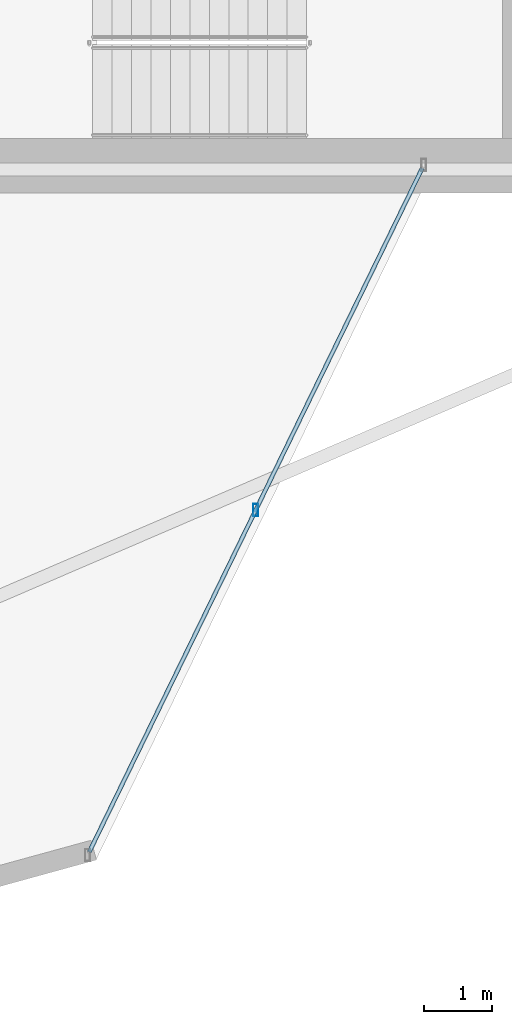
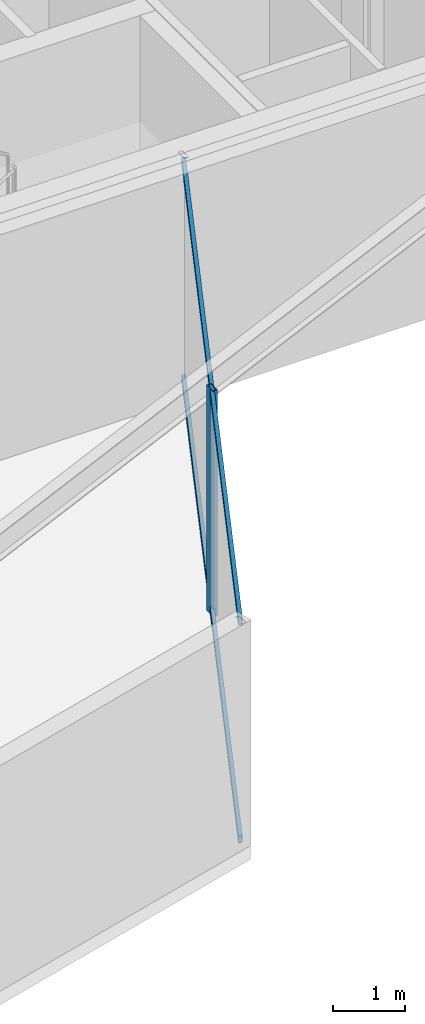
# One storey, part 11 of 25: 3 members, 1 element without a shape of its own.
"""IFC4 building model written with IfcOpenShell, lengths in metres."""

from ifc_helpers import new_model, si_unit, direction, frame, origin, origin_2d, place, context, subcontext, project, spatial, hollow_rectangle, extrude, material, layer, layer_set, material_profile, profile_set, type_object, element, aggregate, save


model = new_model("IFC4")

# Units and contexts
model_context = context("Model", 3, precision=1e-05, world=origin(), true_north=direction((0.0, 1.0)))
body_context = subcontext(model_context, "Body", "Model", "MODEL_VIEW")
ifc_project = project(units=[si_unit("LENGTHUNIT", "METRE"), si_unit("AREAUNIT", "SQUARE_METRE"), si_unit("VOLUMEUNIT", "CUBIC_METRE"), si_unit("PLANEANGLEUNIT", "RADIAN"), si_unit("MASSUNIT", "GRAM", prefix="KILO")], contexts=[model_context])

# Site, building, storey
site_placement = place(None, origin())
site = spatial("IfcSite", under=ifc_project, at=site_placement, CompositionType="ELEMENT")
building_placement = place(site_placement, origin())
building = spatial("IfcBuilding", under=site, at=building_placement, Name="Veymaron Broadcast Tower", CompositionType="ELEMENT")
storey_placement = place(building_placement, frame((0.0, 0.0, 120.89990234375)))
storey = spatial("IfcBuildingStorey", under=building, at=storey_placement, Name="L27", CompositionType="ELEMENT", Elevation=120.89990234375)

# Curtain wall, members
ifc_material_1 = material(Name="Anodised aluminium AA 6063-T6 and laminated low-E dark glass", Category="aluminium")
ifc_layer = layer(ifc_material_1, 0.179931640625)
ifc_layer_set = layer_set([ifc_layer], Name="Anodised aluminium AA 6063-T6 and laminated low-E dark glass")
curtain_wall_type = type_object("IfcCurtainWallType", Name="CW-SYS-03", PredefinedType="NOTDEFINED", material=ifc_layer_set)
curtain_wall_placement = place(storey_placement, origin())
curtain_wall = element("IfcCurtainWall", 1, at=curtain_wall_placement, inside=storey, type_object=curtain_wall_type, Name="L27 dark-glass curtain wall CW-L27-E20-1", PredefinedType="NOTDEFINED")
ifc_material_2 = material(Name="Anodised aluminium AA 6063-T6", Category="aluminium")
ifc_material_profile_1 = material_profile(ifc_material_2, hollow_rectangle(XDim=0.074951171875, YDim=0.179931640625, WallThickness=0.0048828125, at=origin_2d()), Name="AL180X75X5")
ifc_profile_set_1 = profile_set([ifc_material_profile_1], Name="Anodised aluminium AA 6063-T6")
member_type_1 = type_object("IfcMemberType", Name="CW-MUL-02", PredefinedType="MULLION", material=ifc_profile_set_1)
member_1_placement = place(storey_placement, frame((43.8203125, 11.001220703125, 0.0), z_axis=(0.0, 0.0, 1.0), x_axis=(1.0, 0.0, 0.0)))
member_1 = element("IfcMember", 2, at=member_1_placement, type_object=member_type_1, Name="CW-L27-E20-1 mullion 1", PredefinedType="MULLION", context=body_context, shape_type="SweptSolid", body=[
    extrude(hollow_rectangle(XDim=0.074951171875, YDim=0.179931640625, WallThickness=0.0048828125, at=origin_2d()), origin(), (0.0, 0.0, 1.0), 3.81005859375),
])
ifc_material_profile_2 = material_profile(ifc_material_2, hollow_rectangle(XDim=0.06005859375, YDim=0.1201171875, WallThickness=0.00390625, at=origin_2d()), Name="AL120X60X4")
ifc_profile_set_2 = profile_set([ifc_material_profile_2], Name="Anodised aluminium AA 6063-T6")
member_type_2 = type_object("IfcMemberType", Name="CW-TRN-02", PredefinedType="USERDEFINED", material=ifc_profile_set_2)
member_2_placement = place(storey_placement, frame((41.378173828125, 5.986328125, 0.070068359375), z_axis=(0.43783155642, 0.899057021663, 0.0), x_axis=(-0.899057021663, 0.43783155642, 0.0)))
member_2 = element("IfcMember", 3, at=member_2_placement, type_object=member_type_2, Name="CW-L27-E20-1 transom B", ObjectType="TRANSOM", PredefinedType="USERDEFINED", context=body_context, shape_type="SweptSolid", body=[
    extrude(hollow_rectangle(XDim=0.06005859375, YDim=0.1201171875, WallThickness=0.00390625, at=origin_2d()), origin(), (0.0, 0.0, 1.0), 11.15625),
])
member_3_placement = place(storey_placement, frame((41.378173828125, 5.986328125, 3.739990234375), z_axis=(0.43783155642, 0.899057021663, 0.0), x_axis=(-0.899057021663, 0.43783155642, 0.0)))
member_3 = element("IfcMember", 4, at=member_3_placement, type_object=member_type_2, Name="CW-L27-E20-1 transom T", ObjectType="TRANSOM", PredefinedType="USERDEFINED", context=body_context, shape_type="SweptSolid", body=[
    extrude(hollow_rectangle(XDim=0.06005859375, YDim=0.1201171875, WallThickness=0.00390625, at=origin_2d()), origin(), (0.0, 0.0, 1.0), 11.15625),
])
aggregate(curtain_wall, [member_1, member_2, member_3])

save(model, "model.ifc")
